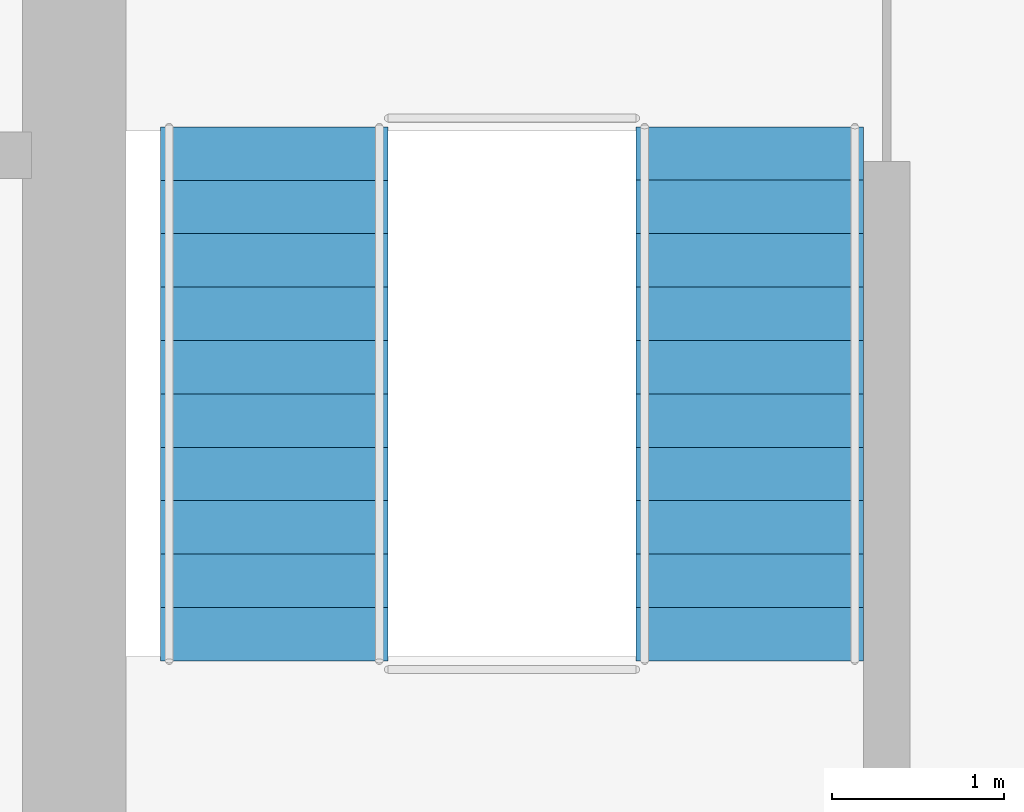
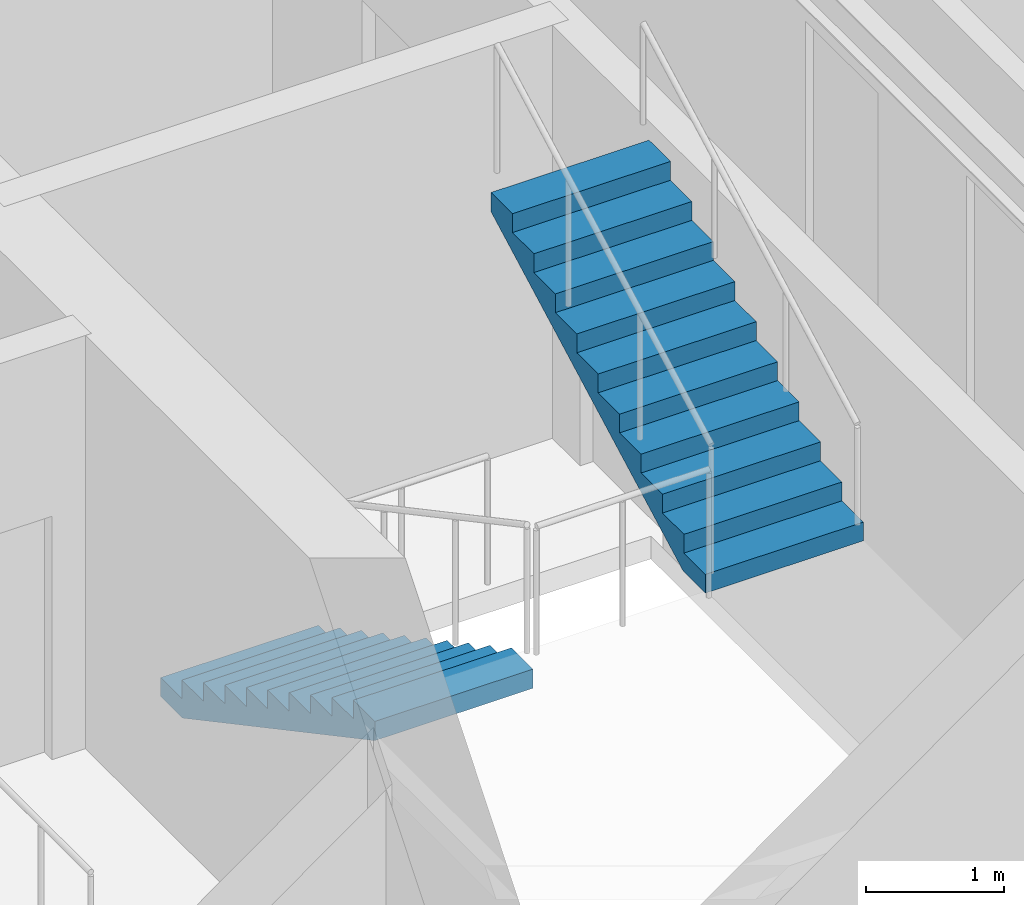
# One storey, part 19 of 21: 2 stair flights, 1 element without a shape of its own.
"""IFC4 building model written with IfcOpenShell, lengths in metres."""

from ifc_helpers import new_model, si_unit, direction, frame, origin, place, context, subcontext, project, spatial, polyline, outline, extrude, material, type_object, element, aggregate, save


model = new_model("IFC4")

# Units and contexts
model_context = context("Model", 3, precision=1e-05, world=origin(), true_north=direction((0.0, 1.0)))
body_context = subcontext(model_context, "Body", "Model", "MODEL_VIEW")
ifc_project = project(units=[si_unit("LENGTHUNIT", "METRE"), si_unit("AREAUNIT", "SQUARE_METRE"), si_unit("VOLUMEUNIT", "CUBIC_METRE"), si_unit("PLANEANGLEUNIT", "RADIAN"), si_unit("MASSUNIT", "GRAM", prefix="KILO")], contexts=[model_context])

# Site, building, storey
site_placement = place(None, origin())
site = spatial("IfcSite", under=ifc_project, at=site_placement, CompositionType="ELEMENT")
building_placement = place(site_placement, origin())
building = spatial("IfcBuilding", under=site, at=building_placement, Name="Lazwardi Medical Tower", CompositionType="ELEMENT")
storey_placement = place(building_placement, frame((0.0, 0.0, 220.367919921875)))
storey = spatial("IfcBuildingStorey", under=building, at=storey_placement, Name="L57", CompositionType="ELEMENT", Elevation=220.367919921875)

# Stair, stair flights
ifc_material = material(Name="Concrete C45/55", Category="concrete")
stair_type = type_object("IfcStairType", Name="STR-WRD", PredefinedType="HALF_TURN_STAIR", material=ifc_material)
stair_placement = place(storey_placement, origin())
stair = element("IfcStair", 1, at=stair_placement, inside=storey, type_object=stair_type, Name="L57 Protected Exit Stair ST3", PredefinedType="HALF_TURN_STAIR")
stair_flight_type = type_object("IfcStairFlightType", Name="FLT-WRD", PredefinedType="STRAIGHT", material=ifc_material)
stair_flight_1_placement = place(storey_placement, frame((46.860107421875, 30.39990234375, 0.0), z_axis=(0.0, 0.0, 1.0), x_axis=(0.0, -1.0, 0.0)))
stair_flight_1 = element("IfcStairFlight", 2, at=stair_flight_1_placement, type_object=stair_flight_type, Name="ST3 flight 1", NumberOfRisers=11, NumberOfTreads=10, PredefinedType="STRAIGHT", RiserHeight=0.165818182, TreadLength=0.31, context=body_context, shape_type="SweptSolid", body=[
    extrude(outline(polyline([(0.0, 0.0), (0.0, 0.165771484375), (0.31005859375, 0.165771484375), (0.31005859375, 0.33154296875), (0.6201171875, 0.33154296875), (0.6201171875, 0.49755859375), (0.929931640625, 0.49755859375), (0.929931640625, 0.663330078125), (1.239990234375, 0.663330078125), (1.239990234375, 0.8291015625), (1.550048828125, 0.8291015625), (1.550048828125, 0.994873046875), (1.860107421875, 0.994873046875), (1.860107421875, 1.16064453125), (2.169921875, 1.16064453125), (2.169921875, 1.32666015625), (2.47998046875, 1.32666015625), (2.47998046875, 1.492431640625), (2.7900390625, 1.492431640625), (2.7900390625, 1.658203125), (3.10009765625, 1.658203125), (3.10009765625, 1.823974609375), (3.10009765625, 1.48828125), (0.31787109375, 0.0), (0.0, 0.0)])), frame((0.0, 0.66015625, 0.0), z_axis=(0.0, -1.0, 0.0), x_axis=(1.0, 0.0, 0.0)), (0.0, 0.0, 1.0), 1.320068359375),
])
stair_flight_2_placement = place(storey_placement, frame((49.6201171875, 27.300048828125, 1.823974609375), z_axis=(0.0, 0.0, 1.0), x_axis=(0.0, 1.0, 0.0)))
stair_flight_2 = element("IfcStairFlight", 3, at=stair_flight_2_placement, type_object=stair_flight_type, Name="ST3 flight 2", NumberOfRisers=11, NumberOfTreads=10, PredefinedType="STRAIGHT", RiserHeight=0.165818182, TreadLength=0.31, context=body_context, shape_type="SweptSolid", body=[
    extrude(outline(polyline([(0.0, 0.0), (0.0, 0.165771484375), (0.31005859375, 0.165771484375), (0.31005859375, 0.33154296875), (0.6201171875, 0.33154296875), (0.6201171875, 0.49755859375), (0.929931640625, 0.49755859375), (0.929931640625, 0.663330078125), (1.239990234375, 0.663330078125), (1.239990234375, 0.8291015625), (1.550048828125, 0.8291015625), (1.550048828125, 0.994873046875), (1.860107421875, 0.994873046875), (1.860107421875, 1.16064453125), (2.169921875, 1.16064453125), (2.169921875, 1.32666015625), (2.47998046875, 1.32666015625), (2.47998046875, 1.492431640625), (2.7900390625, 1.492431640625), (2.7900390625, 1.658203125), (3.10009765625, 1.658203125), (3.10009765625, 1.823974609375), (3.10009765625, 1.48828125), (0.31787109375, 0.0), (0.0, 0.0)])), frame((0.0, 0.66015625, 0.0), z_axis=(0.0, -1.0, 0.0), x_axis=(1.0, 0.0, 0.0)), (0.0, 0.0, 1.0), 1.320068359375),
])
aggregate(stair, [stair_flight_1, stair_flight_2])

save(model, "model.ifc")
